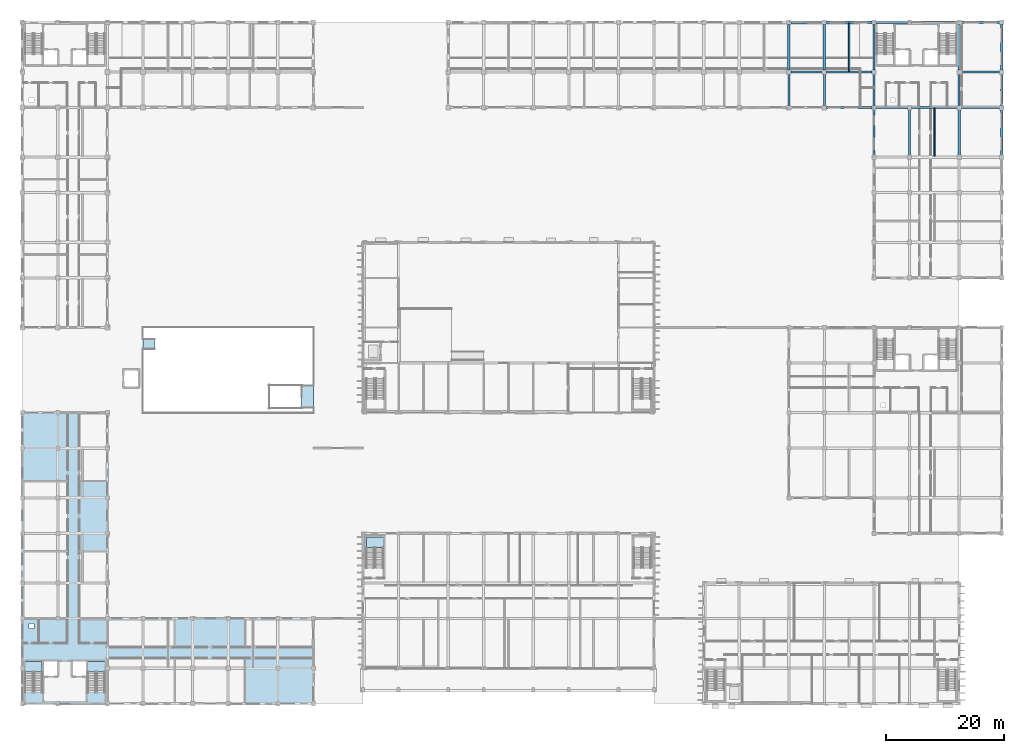
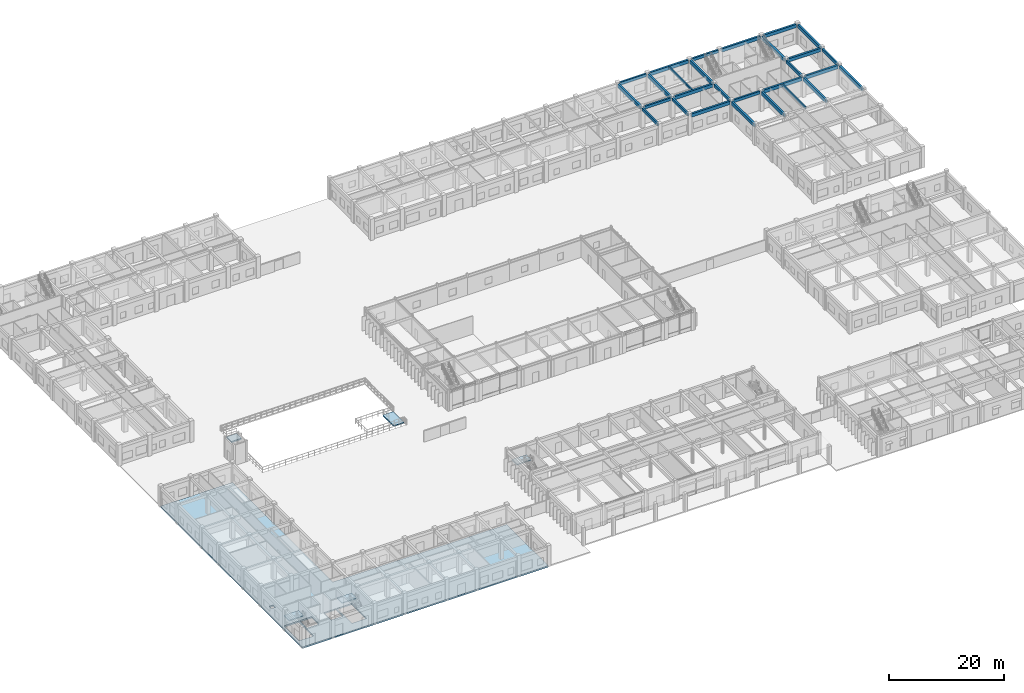
# One storey, part 23 of 67: 28 beams, 6 slabs, 3 elements without a shape of their own.
"""IFC4 building model written with IfcOpenShell, lengths in metres."""

from ifc_helpers import new_model, si_unit, direction, frame, origin, origin_2d, place, context, subcontext, project, spatial, polyline, rectangle, outline, extrude, material, layer, layer_set, material_profile, profile_set, type_object, element, aggregate, save


model = new_model("IFC4")

# Units and contexts
model_context = context("Model", 3, precision=1e-05, world=origin(), true_north=direction((0.0, 1.0)))
body_context = subcontext(model_context, "Body", "Model", "MODEL_VIEW")
ifc_project = project(units=[si_unit("LENGTHUNIT", "METRE"), si_unit("AREAUNIT", "SQUARE_METRE"), si_unit("VOLUMEUNIT", "CUBIC_METRE"), si_unit("PLANEANGLEUNIT", "RADIAN"), si_unit("MASSUNIT", "GRAM", prefix="KILO"), si_unit("THERMODYNAMICTEMPERATUREUNIT", "KELVIN")], contexts=[model_context])

# Site, building, storey
site_placement = place(None, origin())
site = spatial("IfcSite", under=ifc_project, at=site_placement, CompositionType="ELEMENT")
building_placement = place(site_placement, origin())
building = spatial("IfcBuilding", under=site, at=building_placement, Name="Thalorik Housing Commons", CompositionType="ELEMENT")
storey_placement = place(building_placement, origin())
storey = spatial("IfcBuildingStorey", under=building, at=storey_placement, Name="L00", CompositionType="ELEMENT", Elevation=0.0)

# Beams
ifc_material_1 = material(Name="Precast concrete C40/50", Category="concrete")
ifc_material_profile_1 = material_profile(ifc_material_1, rectangle(XDim=0.35009765625, YDim=0.60009765625, at=origin_2d()), Name="PC 350x600", Category="concrete")
ifc_profile_set_1 = profile_set([ifc_material_profile_1], Name="Precast concrete C40/50")
beam_type_1 = type_object("IfcBeamType", Name="STR-BM-PC350x600", PredefinedType="BEAM", material=ifc_profile_set_1)
beam_1_placement = place(storey_placement, frame((152.72509765625, 109.199951171875, 3.89990234375), z_axis=(1.0, 0.0, 0.0), x_axis=(0.0, 1.0, 0.0)))
element("IfcBeam", 1, at=beam_1_placement, inside=storey, type_object=beam_type_1, Name="L00 Beam B-600", PredefinedType="BEAM", context=body_context, shape_type="SweptSolid", body=[
    extrude(rectangle(XDim=0.35009765625, YDim=0.60009765625, at=origin_2d()), origin(), (0.0, 0.0, 1.0), 5.349853515625),
])
for number, where, z_axis, x_axis, name in (
    (2, (138.324951171875, 115.199951171875, 3.89990234375), (1.0, 0.0, 0.0), (0.0, 1.0, 0.0), "L00 Beam B-600"),
    (3, (138.324951171875, 123.60009765625, 3.89990234375), (1.0, 0.0, 0.0), (0.0, 1.0, 0.0), "L00 Beam B-600"),
):
    element("IfcBeam", number, at=place(storey_placement, frame(where, z_axis=z_axis, x_axis=x_axis)), inside=storey, type_object=beam_type_1, Name=name, PredefinedType="BEAM", context=body_context, shape_type="SweptSolid", body=[
        extrude(rectangle(XDim=0.35009765625, YDim=0.60009765625, at=origin_2d()), origin(), (0.0, 0.0, 1.0), 5.35009765625),
    ])
beam_2_placement = place(storey_placement, frame((152.72509765625, 123.60009765625, 3.89990234375), z_axis=(1.0, 0.0, 0.0), x_axis=(0.0, 1.0, 0.0)))
element("IfcBeam", 4, at=beam_2_placement, inside=storey, type_object=beam_type_1, Name="L00 Beam B-600", PredefinedType="BEAM", context=body_context, shape_type="SweptSolid", body=[
    extrude(rectangle(XDim=0.35009765625, YDim=0.60009765625, at=origin_2d()), origin(), (0.0, 0.0, 1.0), 5.349853515625),
])
for number, where, z_axis, x_axis, name in (
    (5, (138.0, 109.52490234375, 3.89990234375), (0.0, 1.0, 0.0), (-1.0, 0.0, 0.0), "L00 Beam B-600"),
    (6, (144.0, 109.52490234375, 3.89990234375), (0.0, 1.0, 0.0), (-1.0, 0.0, 0.0), "L00 Beam B-600"),
    (7, (152.39990234375, 109.52490234375, 3.89990234375), (0.0, 1.0, 0.0), (-1.0, 0.0, 0.0), "L00 Beam B-600"),
    (8, (166.800048828125, 109.52490234375, 3.89990234375), (0.0, 1.0, 0.0), (-1.0, 0.0, 0.0), "L00 Beam B-600"),
    (9, (174.0, 109.52490234375, 3.89990234375), (0.0, 1.0, 0.0), (-1.0, 0.0, 0.0), "L00 Beam B-600"),
):
    element("IfcBeam", number, at=place(storey_placement, frame(where, z_axis=z_axis, x_axis=x_axis)), inside=storey, type_object=beam_type_1, Name=name, PredefinedType="BEAM", context=body_context, shape_type="SweptSolid", body=[
        extrude(rectangle(XDim=0.35009765625, YDim=0.60009765625, at=origin_2d()), origin(), (0.0, 0.0, 1.0), 5.35009765625),
    ])
ifc_material_profile_2 = material_profile(ifc_material_1, rectangle(XDim=0.39990234375, YDim=0.699951171875, at=origin_2d()), Name="PC 400x700", Category="concrete")
ifc_profile_set_2 = profile_set([ifc_material_profile_2], Name="Precast concrete C40/50")
beam_type_2 = type_object("IfcBeamType", Name="STR-BM-PC400x700", PredefinedType="BEAM", material=ifc_profile_set_2)
for number, where, z_axis, x_axis, name in (
    (10, (144.324951171875, 109.199951171875, 3.85009765625), (1.0, 0.0, 0.0), (0.0, 1.0, 0.0), "L00 Beam B-700"),
    (11, (158.72509765625, 109.199951171875, 3.85009765625), (1.0, 0.0, 0.0), (0.0, 1.0, 0.0), "L00 Beam B-700"),
):
    element("IfcBeam", number, at=place(storey_placement, frame(where, z_axis=z_axis, x_axis=x_axis)), inside=storey, type_object=beam_type_2, Name=name, PredefinedType="BEAM", context=body_context, shape_type="SweptSolid", body=[
        extrude(rectangle(XDim=0.39990234375, YDim=0.699951171875, at=origin_2d()), origin(), (0.0, 0.0, 1.0), 7.75),
    ])
beam_3_placement = place(storey_placement, frame((167.125, 109.199951171875, 3.85009765625), z_axis=(1.0, 0.0, 0.0), x_axis=(0.0, 1.0, 0.0)))
element("IfcBeam", 12, at=beam_3_placement, inside=storey, type_object=beam_type_2, Name="L00 Beam B-700", PredefinedType="BEAM", context=body_context, shape_type="SweptSolid", body=[
    extrude(rectangle(XDim=0.39990234375, YDim=0.699951171875, at=origin_2d()), origin(), (0.0, 0.0, 1.0), 6.550048828125),
])
beam_4_placement = place(storey_placement, frame((144.324951171875, 115.199951171875, 3.85009765625), z_axis=(1.0, 0.0, 0.0), x_axis=(0.0, 1.0, 0.0)))
element("IfcBeam", 13, at=beam_4_placement, inside=storey, type_object=beam_type_2, Name="L00 Beam B-700", PredefinedType="BEAM", context=body_context, shape_type="SweptSolid", body=[
    extrude(rectangle(XDim=0.39990234375, YDim=0.699951171875, at=origin_2d()), origin(), (0.0, 0.0, 1.0), 7.75),
])
beam_5_placement = place(storey_placement, frame((167.125, 115.199951171875, 3.85009765625), z_axis=(1.0, 0.0, 0.0), x_axis=(0.0, 1.0, 0.0)))
element("IfcBeam", 14, at=beam_5_placement, inside=storey, type_object=beam_type_2, Name="L00 Beam B-700", PredefinedType="BEAM", context=body_context, shape_type="SweptSolid", body=[
    extrude(rectangle(XDim=0.39990234375, YDim=0.699951171875, at=origin_2d()), origin(), (0.0, 0.0, 1.0), 6.550048828125),
])
for number, where, z_axis, x_axis, name in (
    (15, (144.324951171875, 123.60009765625, 3.85009765625), (1.0, 0.0, 0.0), (0.0, 1.0, 0.0), "L00 Beam B-700"),
    (16, (158.72509765625, 123.60009765625, 3.85009765625), (1.0, 0.0, 0.0), (0.0, 1.0, 0.0), "L00 Beam B-700"),
):
    element("IfcBeam", number, at=place(storey_placement, frame(where, z_axis=z_axis, x_axis=x_axis)), inside=storey, type_object=beam_type_2, Name=name, PredefinedType="BEAM", context=body_context, shape_type="SweptSolid", body=[
        extrude(rectangle(XDim=0.39990234375, YDim=0.699951171875, at=origin_2d()), origin(), (0.0, 0.0, 1.0), 7.75),
    ])
beam_6_placement = place(storey_placement, frame((167.125, 123.60009765625, 3.85009765625), z_axis=(1.0, 0.0, 0.0), x_axis=(0.0, 1.0, 0.0)))
element("IfcBeam", 17, at=beam_6_placement, inside=storey, type_object=beam_type_2, Name="L00 Beam B-700", PredefinedType="BEAM", context=body_context, shape_type="SweptSolid", body=[
    extrude(rectangle(XDim=0.39990234375, YDim=0.699951171875, at=origin_2d()), origin(), (0.0, 0.0, 1.0), 6.550048828125),
])
for number, where, z_axis, x_axis, name in (
    (18, (138.0, 115.52490234375, 3.85009765625), (0.0, 1.0, 0.0), (-1.0, 0.0, 0.0), "L00 Beam B-700"),
    (19, (144.0, 115.52490234375, 3.85009765625), (0.0, 1.0, 0.0), (-1.0, 0.0, 0.0), "L00 Beam B-700"),
    (20, (152.39990234375, 101.125, 3.85009765625), (0.0, 1.0, 0.0), (-1.0, 0.0, 0.0), "L00 Beam B-700"),
    (21, (152.39990234375, 115.52490234375, 3.85009765625), (0.0, 1.0, 0.0), (-1.0, 0.0, 0.0), "L00 Beam B-700"),
    (22, (158.39990234375, 101.125, 3.85009765625), (0.0, 1.0, 0.0), (-1.0, 0.0, 0.0), "L00 Beam B-700"),
    (23, (166.800048828125, 101.125, 3.85009765625), (0.0, 1.0, 0.0), (-1.0, 0.0, 0.0), "L00 Beam B-700"),
    (24, (166.800048828125, 115.52490234375, 3.85009765625), (0.0, 1.0, 0.0), (-1.0, 0.0, 0.0), "L00 Beam B-700"),
    (25, (174.0, 101.125, 3.85009765625), (0.0, 1.0, 0.0), (-1.0, 0.0, 0.0), "L00 Beam B-700"),
    (26, (174.0, 115.52490234375, 3.85009765625), (0.0, 1.0, 0.0), (-1.0, 0.0, 0.0), "L00 Beam B-700"),
):
    element("IfcBeam", number, at=place(storey_placement, frame(where, z_axis=z_axis, x_axis=x_axis)), inside=storey, type_object=beam_type_2, Name=name, PredefinedType="BEAM", context=body_context, shape_type="SweptSolid", body=[
        extrude(rectangle(XDim=0.39990234375, YDim=0.699951171875, at=origin_2d()), origin(), (0.0, 0.0, 1.0), 7.75),
    ])
ifc_material_profile_3 = material_profile(ifc_material_1, rectangle(XDim=0.239990234375, YDim=0.43994140625, at=origin_2d()), Name="PC JST 240x440", Category="concrete")
ifc_profile_set_3 = profile_set([ifc_material_profile_3], Name="Precast concrete C40/50")
beam_type_3 = type_object("IfcBeamType", Name="STR-JST-PC240x440", PredefinedType="JOIST", material=ifc_profile_set_3)
beam_7_placement = place(storey_placement, frame((162.60009765625, 100.949951171875, 3.97998046875), z_axis=(0.0, 1.0, 0.0), x_axis=(-1.0, 0.0, 0.0)))
element("IfcBeam", 27, at=beam_7_placement, inside=storey, type_object=beam_type_3, Name="L00 Beam J-440", PredefinedType="JOIST", context=body_context, shape_type="SweptSolid", body=[
    extrude(rectangle(XDim=0.239990234375, YDim=0.43994140625, at=origin_2d()), origin(), (0.0, 0.0, 1.0), 8.10009765625),
])
beam_8_placement = place(storey_placement, frame((148.199951171875, 115.35009765625, 3.97998046875), z_axis=(0.0, 1.0, 0.0), x_axis=(-1.0, 0.0, 0.0)))
element("IfcBeam", 28, at=beam_8_placement, inside=storey, type_object=beam_type_3, Name="L00 Beam J-440", PredefinedType="JOIST", context=body_context, shape_type="SweptSolid", body=[
    extrude(rectangle(XDim=0.239990234375, YDim=0.43994140625, at=origin_2d()), origin(), (0.0, 0.0, 1.0), 8.099853515625),
])

# Slab
ifc_material_2 = material(Name="Concrete C40/50", Category="concrete")
ifc_layer_1 = layer(ifc_material_2, 0.300048828125, Name="Concrete C40/50", Category="concrete")
ifc_layer_set_1 = layer_set([ifc_layer_1], Name="Concrete C40/50")
slab_type_1 = type_object("IfcSlabType", Name="ARC-SLB-RMPLND-300", PredefinedType="LANDING", material=ifc_layer_set_1)
slab_1_placement = place(storey_placement, frame((0.0, 0.0, -0.300048828125)))
element("IfcSlab", 29, at=slab_1_placement, inside=storey, type_object=slab_type_1, Name="Metro Accessible Ramp Landing 6", PredefinedType="LANDING", context=body_context, shape_type="SweptSolid", body=[
    extrude(outline(polyline([(28.800048828125, 68.35009765625), (30.800048828125, 68.35009765625), (30.800048828125, 70.050048828125), (28.800048828125, 70.050048828125), (28.800048828125, 68.35009765625)])), origin(), (0.0, 0.0, 1.0), 0.300048828125),
])

# Stair, slab
stair_type = type_object("IfcStairType", Name="ARC-STR-1350-R26", PredefinedType="HALF_TURN_STAIR", material=ifc_material_1)
stair_1_placement = place(storey_placement, origin())
stair_1 = element("IfcStair", 30, at=stair_1_placement, inside=storey, type_object=stair_type, Name="L00 Block C Smoke-Proof Stair 1", PredefinedType="HALF_TURN_STAIR")
ifc_layer_2 = layer(ifc_material_1, 0.199951171875, Name="Precast concrete C40/50", Category="concrete")
ifc_layer_set_2 = layer_set([ifc_layer_2], Name="Precast concrete C40/50")
slab_type_2 = type_object("IfcSlabType", Name="ARC-SLB-STLND-200", PredefinedType="LANDING", material=ifc_layer_set_2)
slab_2_placement = place(storey_placement, frame((0.0, 0.0, 2.050048828125)))
slab_2 = element("IfcSlab", 31, at=slab_2_placement, type_object=slab_type_2, Name="ST-C1 landing 1", PredefinedType="LANDING", context=body_context, shape_type="SweptSolid", body=[
    extrude(outline(polyline([(11.75, 13.780029296875), (11.75, 15.550048828125), (8.85009765625, 15.550048828125), (8.85009765625, 13.780029296875), (11.75, 13.780029296875)])), origin(), (0.0, 0.0, 1.0), 0.199951171875),
])
aggregate(stair_1, [slab_2])

stair_2_placement = place(storey_placement, origin())
stair_2 = element("IfcStair", 32, at=stair_2_placement, inside=storey, type_object=stair_type, Name="L00 Block C Smoke-Proof Stair 2", PredefinedType="HALF_TURN_STAIR")
slab_3_placement = place(storey_placement, frame((0.0, 0.0, 2.050048828125)))
slab_3 = element("IfcSlab", 33, at=slab_3_placement, type_object=slab_type_2, Name="ST-C2 landing 1", PredefinedType="LANDING", context=body_context, shape_type="SweptSolid", body=[
    extrude(outline(polyline([(22.35009765625, 13.780029296875), (22.35009765625, 15.550048828125), (19.449951171875, 15.550048828125), (19.449951171875, 13.780029296875), (22.35009765625, 13.780029296875)])), origin(), (0.0, 0.0, 1.0), 0.199951171875),
])
aggregate(stair_2, [slab_3])

stair_3_placement = place(storey_placement, origin())
stair_3 = element("IfcStair", 34, at=stair_3_placement, inside=storey, type_object=stair_type, Name="L00 Street Shops West Stair", PredefinedType="HALF_TURN_STAIR")
slab_4_placement = place(storey_placement, frame((0.0, 0.0, 2.050048828125)))
slab_4 = element("IfcSlab", 35, at=slab_4_placement, type_object=slab_type_2, Name="ST-S1 landing 1", PredefinedType="LANDING", context=body_context, shape_type="SweptSolid", body=[
    extrude(outline(polyline([(69.449951171875, 34.830078125), (69.449951171875, 36.60009765625), (66.550048828125, 36.60009765625), (66.550048828125, 34.830078125), (69.449951171875, 34.830078125)])), origin(), (0.0, 0.0, 1.0), 0.199951171875),
])
aggregate(stair_3, [slab_4])

# Slabs
ifc_layer_3 = layer(ifc_material_1, 0.219970703125, Name="Precast concrete C40/50", Category="concrete")
ifc_layer_set_3 = layer_set([ifc_layer_3], Name="Precast concrete C40/50")
slab_type_3 = type_object("IfcSlabType", Name="ARC-SLB-STLND-220", PredefinedType="LANDING", material=ifc_layer_set_3)
slab_5_placement = place(storey_placement, frame((0.0, 0.0, -0.219970703125)))
element("IfcSlab", 36, at=slab_5_placement, inside=storey, type_object=slab_type_3, Name="L00 Metro Feature Stair Top Arrival Landing", PredefinedType="LANDING", context=body_context, shape_type="SweptSolid", body=[
    extrude(outline(polyline([(57.6201171875, 62.199951171875), (55.550048828125, 62.199951171875), (55.550048828125, 58.39990234375), (57.6201171875, 58.39990234375), (57.6201171875, 62.199951171875)])), origin(), (0.0, 0.0, 1.0), 0.219970703125),
])
ifc_material_3 = material(Name="Precast concrete C45/55", Category="concrete")
ifc_layer_4 = layer(ifc_material_3, 0.300048828125, Name="Precast concrete C45/55", Category="concrete")
ifc_layer_set_4 = layer_set([ifc_layer_4], Name="Precast concrete C45/55")
slab_type_4 = type_object("IfcSlabType", Name="STR-SLB-POD-300", PredefinedType="FLOOR", material=ifc_layer_set_4)
slab_6_placement = place(storey_placement, frame((0.0, 0.0, -0.300048828125)))
element("IfcSlab", 37, at=slab_6_placement, inside=storey, type_object=slab_type_4, Name="L00 Residential Block C Floor Slab", PredefinedType="FLOOR", context=body_context, shape_type="SweptSolid", body=[
    extrude(outline(polyline([(8.39990234375, 8.39990234375), (22.800048828125, 8.39990234375), (57.60009765625, 8.39990234375), (57.60009765625, 22.800048828125), (22.800048828125, 22.800048828125), (22.800048828125, 57.60009765625), (8.39990234375, 57.60009765625), (8.39990234375, 8.39990234375)]), holes=[polyline([(11.75, 10.35009765625), (8.85009765625, 10.35009765625), (8.85009765625, 15.550048828125), (11.75, 15.550048828125), (11.75, 10.35009765625)]), polyline([(19.449951171875, 10.35009765625), (19.449951171875, 15.550048828125), (22.35009765625, 15.550048828125), (22.35009765625, 10.35009765625), (19.449951171875, 10.35009765625)]), polyline([(14.39990234375, 15.550048828125), (14.39990234375, 13.0), (12.0, 13.0), (12.0, 15.550048828125), (14.39990234375, 15.550048828125)]), polyline([(19.199951171875, 13.0), (16.800048828125, 13.0), (16.800048828125, 15.550048828125), (19.199951171875, 15.550048828125), (19.199951171875, 13.0)]), polyline([(9.550048828125, 21.14990234375), (9.550048828125, 21.949951171875), (10.35009765625, 21.949951171875), (10.35009765625, 21.14990234375), (9.550048828125, 21.14990234375)])]), origin(), (0.0, 0.0, 1.0), 0.300048828125),
])

save(model, "model.ifc")
